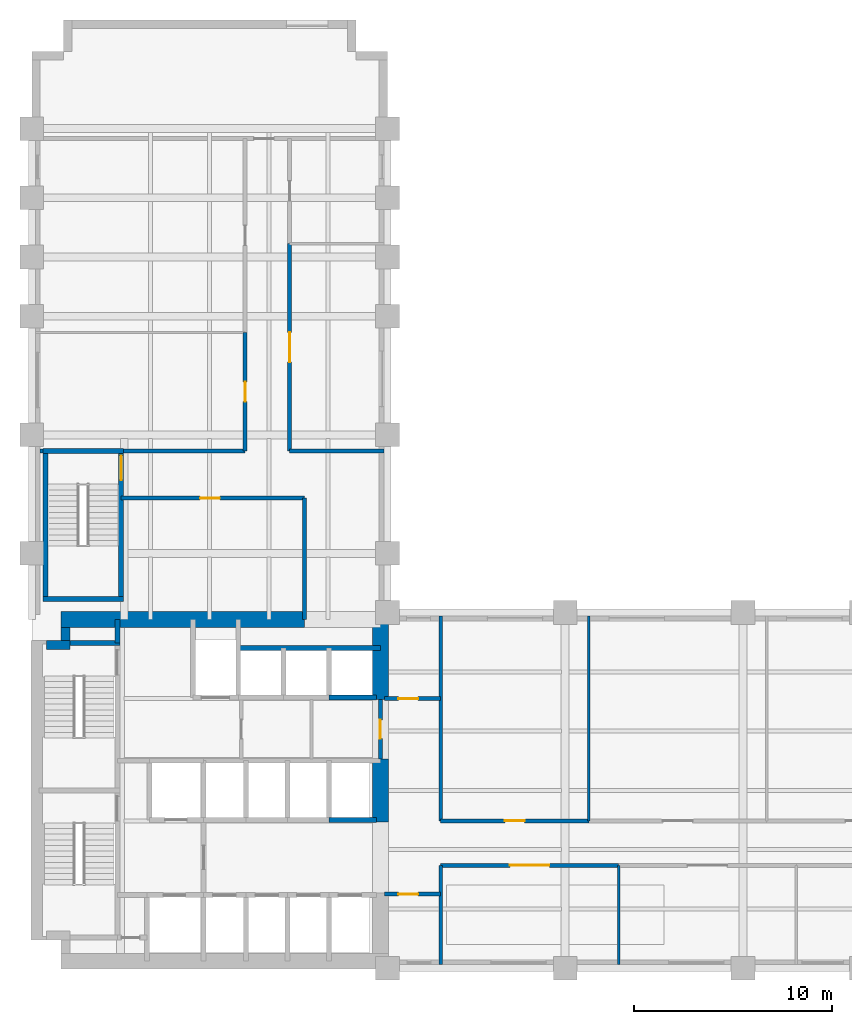
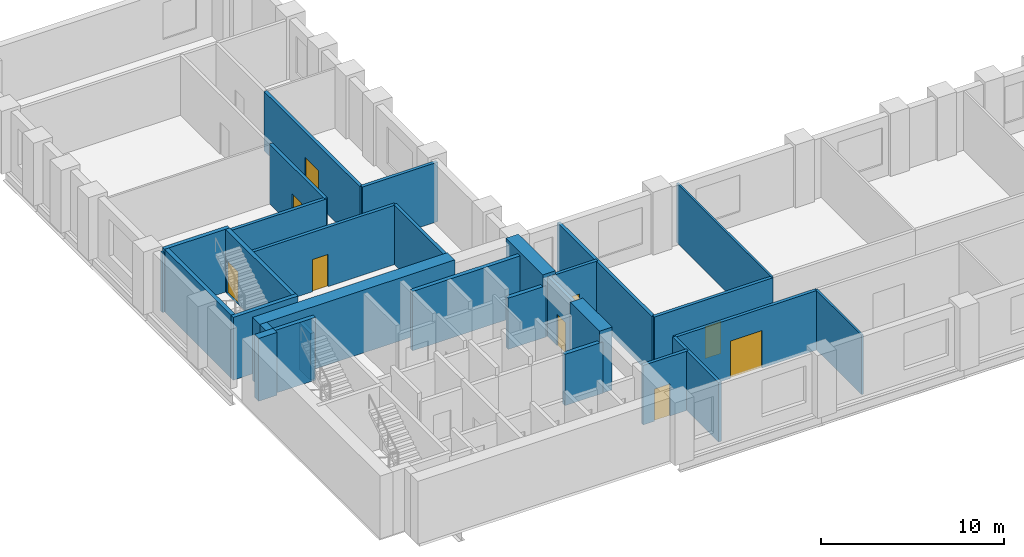
# One storey, part 4 of 7: 30 walls, 9 doors, 9 openings.
"""IFC4 building model written with IfcOpenShell, lengths in metres."""

from ifc_helpers import new_model, si_unit, direction, frame, frame_2d, origin, place, context, subcontext, project, spatial, rectangle, extrude, material, layer, layer_set, type_object, element, fill, save


model = new_model("IFC4")

# Units and contexts
model_context = context("Model", 3, precision=1e-05, world=origin(), true_north=direction((0.0, 1.0)))
body_context = subcontext(model_context, "Body", "Model", "MODEL_VIEW")
ifc_project = project(units=[si_unit("LENGTHUNIT", "METRE"), si_unit("AREAUNIT", "SQUARE_METRE"), si_unit("VOLUMEUNIT", "CUBIC_METRE"), si_unit("PLANEANGLEUNIT", "RADIAN"), si_unit("MASSUNIT", "GRAM", prefix="KILO")], contexts=[model_context])

# Site, building, storey
site_placement = place(None, origin())
site = spatial("IfcSite", under=ifc_project, at=site_placement, CompositionType="ELEMENT")
building_placement = place(site_placement, origin())
building = spatial("IfcBuilding", under=site, at=building_placement, Name="Mawjdan Bourse Tower", CompositionType="ELEMENT")
storey_placement = place(building_placement, frame((0.0, 0.0, 30.0)))
storey = spatial("IfcBuildingStorey", under=building, at=storey_placement, Name="L06", CompositionType="ELEMENT", Elevation=30.0)

# Wall, opening, door
ifc_material_1 = material(Name="Gypsum Fireboard Assembly")
ifc_layer_1 = layer(ifc_material_1, 0.199951171875)
ifc_layer_set_1 = layer_set([ifc_layer_1], Name="Gypsum Fireboard Assembly")
wall_type_1 = type_object("IfcWallType", Name="WL-CMP-200", PredefinedType="PARTITIONING", material=ifc_layer_set_1)
wall_1_placement = place(storey_placement, frame((23.64990234375, 13.60009765625, 0.0), z_axis=(0.0, 0.0, 1.0), x_axis=(0.0, 1.0, 0.0)))
wall_1 = element("IfcWall", 1, at=wall_1_placement, inside=storey, type_object=wall_type_1, Name="L06 Core Restroom East Enclosing Wall", PredefinedType="PARTITIONING", context=body_context, shape_type="SweptSolid", body=[
    extrude(rectangle(XDim=3.0, YDim=0.199951171875, at=frame_2d((1.5, 0.0))), origin(), (0.0, 0.0, 1.0), 3.969970703125),
])
opening_1_placement = place(wall_1_placement, frame((1.02001953125, 0.0, 0.0)))
opening_1 = element("IfcOpeningElement", 2, at=opening_1_placement, cuts=wall_1, Name="Opening D-L06-15", PredefinedType="OPENING", context=body_context, shape_type="SweptSolid", body=[
    extrude(rectangle(XDim=0.949951171875, YDim=2.10009765625, at=frame_2d((0.47509765625, 1.050048828125))), frame((0.0, 0.10986328125, 0.0), z_axis=(0.0, -1.0, 0.0), x_axis=(1.0, 0.0, 0.0)), (0.0, 0.0, 1.0), 0.219970703125),
])
ifc_material_2 = material(Name="Moisture-Resistant Laminate Timber", Category="wood")
door_type_1 = type_object("IfcDoorType", Name="DR-WET-0950", OperationType="NOTDEFINED", PredefinedType="DOOR", material=ifc_material_2)
door_1_placement = place(opening_1_placement, origin())
door_1 = element("IfcDoor", 3, at=door_1_placement, inside=storey, type_object=door_type_1, Name="L06 Accessible WC East Entry Door D-L06-15", OperationType="SINGLE_SWING_RIGHT", OverallHeight=2.10009765625, OverallWidth=0.949951171875, PredefinedType="DOOR", context=body_context, shape_type="SweptSolid", body=[
    extrude(rectangle(XDim=0.949951171875, YDim=2.10009765625, at=frame_2d((0.47509765625, 1.050048828125))), frame((0.0, 0.02490234375, 0.0), z_axis=(0.0, -1.0, 0.0), x_axis=(1.0, 0.0, 0.0)), (0.0, 0.0, 1.0), 0.050048828125),
])
fill(opening_1, door_1)

wall_2_placement = place(storey_placement, frame((23.85009765625, 6.75, 0.0), z_axis=(0.0, 0.0, 1.0), x_axis=(1.0, 0.0, 0.0)))
wall_2 = element("IfcWall", 4, at=wall_2_placement, inside=storey, type_object=wall_type_1, Name="L06 West Pocket North Wall", PredefinedType="PARTITIONING", context=body_context, shape_type="SweptSolid", body=[
    extrude(rectangle(XDim=2.849853515625, YDim=0.199951171875, at=frame_2d((1.4248046875, 0.0))), origin(), (0.0, 0.0, 1.0), 3.969970703125),
])
opening_2_placement = place(wall_2_placement, frame((0.699951171875, 0.0, 0.0)))
opening_2 = element("IfcOpeningElement", 5, at=opening_2_placement, cuts=wall_2, Name="Opening D-L06-17", PredefinedType="OPENING", context=body_context, shape_type="SweptSolid", body=[
    extrude(rectangle(XDim=1.0, YDim=2.14990234375, at=frame_2d((0.5, 1.074951171875))), frame((0.0, 0.10986328125, 0.0), z_axis=(0.0, -1.0, 0.0), x_axis=(1.0, 0.0, 0.0)), (0.0, 0.0, 1.0), 0.219970703125),
])
ifc_material_3 = material(Name="Hardwood Acoustic Leaf", Category="wood")
door_type_2 = type_object("IfcDoorType", Name="DR-OFC-1000", OperationType="NOTDEFINED", PredefinedType="DOOR", material=ifc_material_3)
door_2_placement = place(opening_2_placement, origin())
door_2 = element("IfcDoor", 6, at=door_2_placement, inside=storey, type_object=door_type_2, Name="L06 West Pocket Office Door D-L06-17", OperationType="SINGLE_SWING_RIGHT", OverallHeight=2.14990234375, OverallWidth=1.0, PredefinedType="DOOR", context=body_context, shape_type="SweptSolid", body=[
    extrude(rectangle(XDim=1.0, YDim=2.14990234375, at=frame_2d((0.5, 1.074951171875))), frame((0.0, 0.02490234375, 0.0), z_axis=(0.0, -1.0, 0.0), x_axis=(1.0, 0.0, 0.0)), (0.0, 0.0, 1.0), 0.050048828125),
])
fill(opening_2, door_2)

wall_3_placement = place(storey_placement, frame((23.85009765625, 16.64990234375, 0.0), z_axis=(0.0, 0.0, 1.0), x_axis=(1.0, 0.0, 0.0)))
wall_3 = element("IfcWall", 7, at=wall_3_placement, inside=storey, type_object=wall_type_1, Name="L06 West North Pocket Wall", PredefinedType="PARTITIONING", context=body_context, shape_type="SweptSolid", body=[
    extrude(rectangle(XDim=2.849853515625, YDim=0.199951171875, at=frame_2d((1.4248046875, 0.0))), origin(), (0.0, 0.0, 1.0), 3.969970703125),
])
opening_3_placement = place(wall_3_placement, frame((0.699951171875, 0.0, 0.0)))
opening_3 = element("IfcOpeningElement", 8, at=opening_3_placement, cuts=wall_3, Name="Opening D-L06-18", PredefinedType="OPENING", context=body_context, shape_type="SweptSolid", body=[
    extrude(rectangle(XDim=1.0, YDim=2.14990234375, at=frame_2d((0.5, 1.074951171875))), frame((0.0, 0.10986328125, 0.0), z_axis=(0.0, -1.0, 0.0), x_axis=(1.0, 0.0, 0.0)), (0.0, 0.0, 1.0), 0.219970703125),
])
door_3_placement = place(opening_3_placement, origin())
door_3 = element("IfcDoor", 9, at=door_3_placement, inside=storey, type_object=door_type_2, Name="L06 West North Pocket Door D-L06-18", OperationType="SINGLE_SWING_LEFT", OverallHeight=2.14990234375, OverallWidth=1.0, PredefinedType="DOOR", context=body_context, shape_type="SweptSolid", body=[
    extrude(rectangle(XDim=1.0, YDim=2.14990234375, at=frame_2d((0.5, 1.074951171875))), frame((0.0, 0.02490234375, 0.0), z_axis=(0.0, -1.0, 0.0), x_axis=(1.0, 0.0, 0.0)), (0.0, 0.0, 1.0), 0.050048828125),
])
fill(opening_3, door_3)

# Walls
wall_4_placement = place(storey_placement, frame((26.699951171875, 3.179931640625, 0.0), z_axis=(0.0, 0.0, 1.0), x_axis=(0.0, 1.0, 0.0)))
element("IfcWall", 10, at=wall_4_placement, inside=storey, type_object=wall_type_1, Name="L06 Vestibule South East Wall", PredefinedType="PARTITIONING", context=body_context, shape_type="SweptSolid", body=[
    extrude(rectangle(XDim=5.02001953125, YDim=0.199951171875, at=frame_2d((2.510009765625, 0.0))), origin(), (0.0, 0.0, 1.0), 3.969970703125),
])
wall_5_placement = place(storey_placement, frame((26.699951171875, 10.449951171875, 0.0), z_axis=(0.0, 0.0, 1.0), x_axis=(0.0, 1.0, 0.0)))
element("IfcWall", 11, at=wall_5_placement, inside=storey, type_object=wall_type_1, Name="L06 Vestibule North East Wall", PredefinedType="PARTITIONING", context=body_context, shape_type="SweptSolid", body=[
    extrude(rectangle(XDim=10.3701171875, YDim=0.199951171875, at=frame_2d((5.18505859375, 0.0))), origin(), (0.0, 0.0, 1.0), 3.969970703125),
])

# Wall, opening, door
wall_6_placement = place(storey_placement, frame((26.699951171875, 8.199951171875, 0.0), z_axis=(0.0, 0.0, 1.0), x_axis=(1.0, 0.0, 0.0)))
wall_6 = element("IfcWall", 12, at=wall_6_placement, inside=storey, type_object=wall_type_1, Name="L06 Trading Floor Corridor Wall", PredefinedType="PARTITIONING", context=body_context, shape_type="SweptSolid", body=[
    extrude(rectangle(XDim=9.0, YDim=0.199951171875, at=frame_2d((4.5, 0.0))), origin(), (0.0, 0.0, 1.0), 3.969970703125),
])
opening_4_placement = place(wall_6_placement, frame((3.5, 0.0, 0.0)))
opening_4 = element("IfcOpeningElement", 13, at=opening_4_placement, cuts=wall_6, Name="Opening D-L06-19", PredefinedType="OPENING", context=body_context, shape_type="SweptSolid", body=[
    extrude(rectangle(XDim=2.0, YDim=2.5, at=frame_2d((1.0, 1.25))), frame((0.0, 0.10986328125, 0.0), z_axis=(0.0, -1.0, 0.0), x_axis=(1.0, 0.0, 0.0)), (0.0, 0.0, 1.0), 0.219970703125),
])
ifc_material_4 = material(Name="Acoustic Veneered Timber", Category="wood")
door_type_3 = type_object("IfcDoorType", Name="DR-ASM-2000", OperationType="DOUBLE_DOOR_SINGLE_SWING", PredefinedType="DOOR", material=ifc_material_4)
door_4_placement = place(opening_4_placement, origin())
door_4 = element("IfcDoor", 14, at=door_4_placement, inside=storey, type_object=door_type_3, Name="L06 Trading Floor Door D-L06-19", OperationType="DOUBLE_DOOR_SINGLE_SWING", OverallHeight=2.5, OverallWidth=2.0, PredefinedType="DOOR", context=body_context, shape_type="SweptSolid", body=[
    extrude(rectangle(XDim=2.0, YDim=2.5, at=frame_2d((1.0, 1.25))), frame((0.0, 0.02490234375, 0.0), z_axis=(0.0, -1.0, 0.0), x_axis=(1.0, 0.0, 0.0)), (0.0, 0.0, 1.0), 0.050048828125),
])
fill(opening_4, door_4)

wall_7_placement = place(storey_placement, frame((26.699951171875, 10.449951171875, 0.0), z_axis=(0.0, 0.0, 1.0), x_axis=(1.0, 0.0, 0.0)))
wall_7 = element("IfcWall", 15, at=wall_7_placement, inside=storey, type_object=wall_type_1, Name="L06 Executive Office Corridor Wall", PredefinedType="PARTITIONING", context=body_context, shape_type="SweptSolid", body=[
    extrude(rectangle(XDim=7.5, YDim=0.199951171875, at=frame_2d((3.75, 0.0))), origin(), (0.0, 0.0, 1.0), 3.969970703125),
])
opening_5_placement = place(wall_7_placement, frame((3.25, 0.0, 0.0)))
opening_5 = element("IfcOpeningElement", 16, at=opening_5_placement, cuts=wall_7, Name="Opening D-L06-22", PredefinedType="OPENING", context=body_context, shape_type="SweptSolid", body=[
    extrude(rectangle(XDim=1.0, YDim=2.14990234375, at=frame_2d((0.5, 1.074951171875))), frame((0.0, 0.10986328125, 0.0), z_axis=(0.0, -1.0, 0.0), x_axis=(1.0, 0.0, 0.0)), (0.0, 0.0, 1.0), 0.219970703125),
])
door_5_placement = place(opening_5_placement, origin())
door_5 = element("IfcDoor", 17, at=door_5_placement, inside=storey, type_object=door_type_2, Name="L06 Executive Office Door D-L06-22", OperationType="SINGLE_SWING_LEFT", OverallHeight=2.14990234375, OverallWidth=1.0, PredefinedType="DOOR", context=body_context, shape_type="SweptSolid", body=[
    extrude(rectangle(XDim=1.0, YDim=2.14990234375, at=frame_2d((0.5, 1.074951171875))), frame((0.0, 0.02490234375, 0.0), z_axis=(0.0, -1.0, 0.0), x_axis=(1.0, 0.0, 0.0)), (0.0, 0.0, 1.0), 0.050048828125),
])
fill(opening_5, door_5)

wall_8_placement = place(storey_placement, frame((10.52001953125, 26.800048828125, 0.0), z_axis=(0.0, 0.0, 1.0), x_axis=(1.0, 0.0, 0.0)))
wall_8 = element("IfcWall", 18, at=wall_8_placement, inside=storey, type_object=wall_type_1, Name="L06 North Throat North Wall", PredefinedType="PARTITIONING", context=body_context, shape_type="SweptSolid", body=[
    extrude(rectangle(XDim=9.280029296875, YDim=0.199951171875, at=frame_2d((4.64013671875, 0.0))), origin(), (0.0, 0.0, 1.0), 3.969970703125),
])
opening_6_placement = place(wall_8_placement, frame((4.0, 0.0, 0.0)))
opening_6 = element("IfcOpeningElement", 19, at=opening_6_placement, cuts=wall_8, Name="Opening D-L06-27", PredefinedType="OPENING", context=body_context, shape_type="SweptSolid", body=[
    extrude(rectangle(XDim=1.0, YDim=2.14990234375, at=frame_2d((0.5, 1.074951171875))), frame((0.0, 0.10986328125, 0.0), z_axis=(0.0, -1.0, 0.0), x_axis=(1.0, 0.0, 0.0)), (0.0, 0.0, 1.0), 0.219970703125),
])
door_6_placement = place(opening_6_placement, origin())
door_6 = element("IfcDoor", 20, at=door_6_placement, inside=storey, type_object=door_type_2, Name="L06 North Throat Suite Door D-L06-27", OperationType="SINGLE_SWING_LEFT", OverallHeight=2.14990234375, OverallWidth=1.0, PredefinedType="DOOR", context=body_context, shape_type="SweptSolid", body=[
    extrude(rectangle(XDim=1.0, YDim=2.14990234375, at=frame_2d((0.5, 1.074951171875))), frame((0.0, 0.02490234375, 0.0), z_axis=(0.0, -1.0, 0.0), x_axis=(1.0, 0.0, 0.0)), (0.0, 0.0, 1.0), 0.050048828125),
])
fill(opening_6, door_6)

# Walls
wall_9_placement = place(storey_placement, frame((19.800048828125, 20.64990234375, 0.0), z_axis=(0.0, 0.0, 1.0), x_axis=(0.0, 1.0, 0.0)))
element("IfcWall", 21, at=wall_9_placement, inside=storey, type_object=wall_type_1, Name="L06 North Throat East Wall", PredefinedType="PARTITIONING", context=body_context, shape_type="SweptSolid", body=[
    extrude(rectangle(XDim=6.150146484375, YDim=0.199951171875, at=frame_2d((3.0751953125, 0.0))), origin(), (0.0, 0.0, 1.0), 3.969970703125),
])
wall_10_placement = place(storey_placement, frame((6.419921875, 29.179931640625, 0.0), z_axis=(0.0, 0.0, 1.0), x_axis=(1.0, 0.0, 0.0)))
element("IfcWall", 22, at=wall_10_placement, inside=storey, type_object=wall_type_1, Name="L06 North West Band ST3 West Return", PredefinedType="PARTITIONING", context=body_context, shape_type="SweptSolid", body=[
    extrude(rectangle(XDim=0.135009765625, YDim=0.199951171875, at=frame_2d((0.0673828125, 0.0))), origin(), (0.0, 0.0, 1.0), 3.969970703125),
])
wall_11_placement = place(storey_placement, frame((10.6298828125, 29.179931640625, 0.0), z_axis=(0.0, 0.0, 1.0), x_axis=(1.0, 0.0, 0.0)))
element("IfcWall", 23, at=wall_11_placement, inside=storey, type_object=wall_type_1, Name="L06 North West Band South Wall", PredefinedType="PARTITIONING", context=body_context, shape_type="SweptSolid", body=[
    extrude(rectangle(XDim=6.170166015625, YDim=0.199951171875, at=frame_2d((3.0849609375, 0.0))), origin(), (0.0, 0.0, 1.0), 3.969970703125),
])
wall_12_placement = place(storey_placement, frame((19.050048828125, 29.179931640625, 0.0), z_axis=(0.0, 0.0, 1.0), x_axis=(1.0, 0.0, 0.0)))
element("IfcWall", 24, at=wall_12_placement, inside=storey, type_object=wall_type_1, Name="L06 North East Band South Wall", PredefinedType="PARTITIONING", context=body_context, shape_type="SweptSolid", body=[
    extrude(rectangle(XDim=4.77001953125, YDim=0.199951171875, at=frame_2d((2.385009765625, 0.0))), origin(), (0.0, 0.0, 1.0), 3.969970703125),
])

# Wall, opening, door
wall_13_placement = place(storey_placement, frame((16.800048828125, 29.179931640625, 0.0), z_axis=(0.0, 0.0, 1.0), x_axis=(0.0, 1.0, 0.0)))
wall_13 = element("IfcWall", 25, at=wall_13_placement, inside=storey, type_object=wall_type_1, Name="L06 Derivatives Dealing Hall Corridor Wall", PredefinedType="PARTITIONING", context=body_context, shape_type="SweptSolid", body=[
    extrude(rectangle(XDim=6.0, YDim=0.199951171875, at=frame_2d((3.0, 0.0))), origin(), (0.0, 0.0, 1.0), 3.969970703125),
])
opening_7_placement = place(wall_13_placement, frame((2.5, 0.0, 0.0)))
opening_7 = element("IfcOpeningElement", 26, at=opening_7_placement, cuts=wall_13, Name="Opening D-L06-28", PredefinedType="OPENING", context=body_context, shape_type="SweptSolid", body=[
    extrude(rectangle(XDim=1.0, YDim=2.14990234375, at=frame_2d((0.5, 1.074951171875))), frame((0.0, 0.10986328125, 0.0), z_axis=(0.0, -1.0, 0.0), x_axis=(1.0, 0.0, 0.0)), (0.0, 0.0, 1.0), 0.219970703125),
])
door_7_placement = place(opening_7_placement, origin())
door_7 = element("IfcDoor", 27, at=door_7_placement, inside=storey, type_object=door_type_2, Name="L06 Derivatives Dealing Hall Door D-L06-28", OperationType="SINGLE_SWING_RIGHT", OverallHeight=2.14990234375, OverallWidth=1.0, PredefinedType="DOOR", context=body_context, shape_type="SweptSolid", body=[
    extrude(rectangle(XDim=1.0, YDim=2.14990234375, at=frame_2d((0.5, 1.074951171875))), frame((0.0, 0.02490234375, 0.0), z_axis=(0.0, -1.0, 0.0), x_axis=(1.0, 0.0, 0.0)), (0.0, 0.0, 1.0), 0.050048828125),
])
fill(opening_7, door_7)

wall_14_placement = place(storey_placement, frame((19.050048828125, 29.179931640625, 0.0), z_axis=(0.0, 0.0, 1.0), x_axis=(0.0, 1.0, 0.0)))
wall_14 = element("IfcWall", 28, at=wall_14_placement, inside=storey, type_object=wall_type_1, Name="L06 Conference Room Corridor Wall", PredefinedType="PARTITIONING", context=body_context, shape_type="SweptSolid", body=[
    extrude(rectangle(XDim=10.5, YDim=0.199951171875, at=frame_2d((5.25, 0.0))), origin(), (0.0, 0.0, 1.0), 3.969970703125),
])
opening_8_placement = place(wall_14_placement, frame((4.5, 0.0, 0.0)))
opening_8 = element("IfcOpeningElement", 29, at=opening_8_placement, cuts=wall_14, Name="Opening D-L06-30", PredefinedType="OPENING", context=body_context, shape_type="SweptSolid", body=[
    extrude(rectangle(XDim=1.5, YDim=2.300048828125, at=frame_2d((0.75, 1.14990234375))), frame((0.0, 0.10986328125, 0.0), z_axis=(0.0, -1.0, 0.0), x_axis=(1.0, 0.0, 0.0)), (0.0, 0.0, 1.0), 0.219970703125),
])
ifc_material_5 = material(Name="Acoustic Glazed Timber", Category="wood")
door_type_4 = type_object("IfcDoorType", Name="DR-CNF-1500", OperationType="DOUBLE_DOOR_SINGLE_SWING", PredefinedType="DOOR", material=ifc_material_5)
door_8_placement = place(opening_8_placement, origin())
door_8 = element("IfcDoor", 30, at=door_8_placement, inside=storey, type_object=door_type_4, Name="L06 Conference Room Door D-L06-30", OperationType="DOUBLE_DOOR_SINGLE_SWING", OverallHeight=2.300048828125, OverallWidth=1.5, PredefinedType="DOOR", context=body_context, shape_type="SweptSolid", body=[
    extrude(rectangle(XDim=1.5, YDim=2.300048828125, at=frame_2d((0.75, 1.14990234375))), frame((0.0, 0.02490234375, 0.0), z_axis=(0.0, -1.0, 0.0), x_axis=(1.0, 0.0, 0.0)), (0.0, 0.0, 1.0), 0.050048828125),
])
fill(opening_8, door_8)

# Walls
ifc_material_6 = material(Name="Concrete C60/75", Category="concrete")
ifc_layer_2 = layer(ifc_material_6, 0.449951171875)
ifc_layer_set_2 = layer_set([ifc_layer_2], Name="Concrete C60/75")
wall_type_2 = type_object("IfcWallType", Name="WL-CORE-450", PredefinedType="SHEAR", material=ifc_layer_set_2)
wall_15_placement = place(storey_placement, frame((6.75, 19.35009765625, 0.0), z_axis=(0.0, 0.0, 1.0), x_axis=(1.0, 0.0, 0.0)))
element("IfcWall", 31, at=wall_15_placement, inside=storey, type_object=wall_type_2, Name="L06 Rear Core Shear Wall NW-X", PredefinedType="SHEAR", context=body_context, shape_type="SweptSolid", body=[
    extrude(rectangle(XDim=1.175048828125, YDim=0.449951171875, at=frame_2d((0.58740234375, 0.0))), origin(), (0.0, 0.0, 1.0), 4.199951171875),
])
wall_16_placement = place(storey_placement, frame((7.699951171875, 19.574951171875, 0.0), z_axis=(0.0, 0.0, 1.0), x_axis=(0.0, 1.0, 0.0)))
element("IfcWall", 32, at=wall_16_placement, inside=storey, type_object=wall_type_2, Name="L06 Rear Core Shear Wall NW-Y", PredefinedType="SHEAR", context=body_context, shape_type="SweptSolid", body=[
    extrude(rectangle(XDim=0.675048828125, YDim=0.449951171875, at=frame_2d((0.33740234375, 0.0))), origin(), (0.0, 0.0, 1.0), 4.199951171875),
])
ifc_material_7 = material(Name="Concrete C80/95", Category="concrete")
ifc_layer_3 = layer(ifc_material_7, 0.800048828125)
ifc_layer_set_3 = layer_set([ifc_layer_3], Name="Concrete C80/95")
wall_type_3 = type_object("IfcWallType", Name="WL-CORE-800", PredefinedType="SHEAR", material=ifc_layer_set_3)
wall_17_placement = place(storey_placement, frame((7.47509765625, 20.64990234375, 0.0), z_axis=(0.0, 0.0, 1.0), x_axis=(1.0, 0.0, 0.0)))
element("IfcWall", 33, at=wall_17_placement, inside=storey, type_object=wall_type_3, Name="L06 Rear Core Shear Wall N", PredefinedType="SHEAR", context=body_context, shape_type="SweptSolid", body=[
    extrude(rectangle(XDim=12.324951171875, YDim=0.800048828125, at=frame_2d((6.16259765625, 0.0))), origin(), (0.0, 0.0, 1.0), 4.199951171875),
])
wall_18_placement = place(storey_placement, frame((23.64990234375, 10.39990234375, 0.0), z_axis=(0.0, 0.0, 1.0), x_axis=(0.0, 1.0, 0.0)))
element("IfcWall", 34, at=wall_18_placement, inside=storey, type_object=wall_type_3, Name="L06 Rear Core Shear Wall E2", PredefinedType="SHEAR", context=body_context, shape_type="SweptSolid", body=[
    extrude(rectangle(XDim=3.2001953125, YDim=0.800048828125, at=frame_2d((1.60009765625, 0.0))), origin(), (0.0, 0.0, 1.0), 4.199951171875),
])
wall_19_placement = place(storey_placement, frame((23.64990234375, 16.60009765625, 0.0), z_axis=(0.0, 0.0, 1.0), x_axis=(0.0, 1.0, 0.0)))
element("IfcWall", 35, at=wall_19_placement, inside=storey, type_object=wall_type_3, Name="L06 Rear Core Shear Wall E3", PredefinedType="SHEAR", context=body_context, shape_type="SweptSolid", body=[
    extrude(rectangle(XDim=4.0498046875, YDim=0.800048828125, at=frame_2d((2.02490234375, 0.0))), origin(), (0.0, 0.0, 1.0), 4.199951171875),
])
ifc_material_8 = material(Name="Gypsum Partition")
ifc_layer_4 = layer(ifc_material_8, 0.125)
ifc_layer_set_4 = layer_set([ifc_layer_4], Name="Gypsum Partition")
wall_type_4 = type_object("IfcWallType", Name="WL-PRT-125", PredefinedType="PARTITIONING", material=ifc_layer_set_4)
wall_20_placement = place(storey_placement, frame((35.699951171875, 3.179931640625, 0.0), z_axis=(0.0, 0.0, 1.0), x_axis=(0.0, 1.0, 0.0)))
element("IfcWall", 36, at=wall_20_placement, inside=storey, type_object=wall_type_4, Name="L06 Derivatives Dealing Hall Partition", PredefinedType="PARTITIONING", context=body_context, shape_type="SweptSolid", body=[
    extrude(rectangle(XDim=5.02001953125, YDim=0.125, at=frame_2d((2.510009765625, 0.0))), origin(), (0.0, 0.0, 1.0), 3.969970703125),
])
wall_21_placement = place(storey_placement, frame((34.199951171875, 10.449951171875, 0.0), z_axis=(0.0, 0.0, 1.0), x_axis=(0.0, 1.0, 0.0)))
element("IfcWall", 37, at=wall_21_placement, inside=storey, type_object=wall_type_4, Name="L06 Conference Room Partition", PredefinedType="PARTITIONING", context=body_context, shape_type="SweptSolid", body=[
    extrude(rectangle(XDim=10.3701171875, YDim=0.125, at=frame_2d((5.18505859375, 0.0))), origin(), (0.0, 0.0, 1.0), 3.969970703125),
])
ifc_material_9 = material(Name="Concrete C50/60", Category="concrete")
ifc_layer_5 = layer(ifc_material_9, 0.25)
ifc_layer_set_5 = layer_set([ifc_layer_5], Name="Concrete C50/60")
wall_type_5 = type_object("IfcWallType", Name="WL-SHFT-250", PredefinedType="PARTITIONING", material=ifc_layer_set_5)
wall_22_placement = place(storey_placement, frame((10.330078125, 19.449951171875, 0.0), z_axis=(0.0, 0.0, 1.0), x_axis=(0.0, 1.0, 0.0)))
element("IfcWall", 38, at=wall_22_placement, inside=storey, type_object=wall_type_5, Name="L06 NW Riser East Wall", PredefinedType="PARTITIONING", context=body_context, shape_type="SweptSolid", body=[
    extrude(rectangle(XDim=1.199951171875, YDim=0.25, at=frame_2d((0.60009765625, 0.0))), origin(), (0.0, 0.0, 1.0), 3.114013671875),
])
wall_23_placement = place(storey_placement, frame((21.050048828125, 16.699951171875, 0.0), z_axis=(0.0, 0.0, 1.0), x_axis=(1.0, 0.0, 0.0)))
element("IfcWall", 39, at=wall_23_placement, inside=storey, type_object=wall_type_5, Name="L06 PH-03 Front Wall", PredefinedType="PARTITIONING", context=body_context, shape_type="SweptSolid", body=[
    extrude(rectangle(XDim=2.39990234375, YDim=0.25, at=frame_2d((1.199951171875, 0.0))), origin(), (0.0, 0.0, 1.0), 3.426025390625),
])
wall_24_placement = place(storey_placement, frame((16.449951171875, 19.199951171875, 0.0), z_axis=(0.0, 0.0, 1.0), x_axis=(1.0, 0.0, 0.0)))
element("IfcWall", 40, at=wall_24_placement, inside=storey, type_object=wall_type_5, Name="L06 PH Bank North Shaft Back Wall", PredefinedType="PARTITIONING", context=body_context, shape_type="SweptSolid", body=[
    extrude(rectangle(XDim=7.199951171875, YDim=0.25, at=frame_2d((3.60009765625, 0.0))), origin(), (0.0, 0.0, 1.0), 3.969970703125),
])
wall_25_placement = place(storey_placement, frame((21.050048828125, 10.5, 0.0), z_axis=(0.0, 0.0, 1.0), x_axis=(1.0, 0.0, 0.0)))
element("IfcWall", 41, at=wall_25_placement, inside=storey, type_object=wall_type_5, Name="L06 PM-04 Front Wall", PredefinedType="PARTITIONING", context=body_context, shape_type="SweptSolid", body=[
    extrude(rectangle(XDim=2.39990234375, YDim=0.25, at=frame_2d((1.199951171875, 0.0))), origin(), (0.0, 0.0, 1.0), 3.426025390625),
])
ifc_layer_6 = layer(ifc_material_9, 0.25)
ifc_layer_set_6 = layer_set([ifc_layer_6], Name="Concrete C50/60")
wall_type_6 = type_object("IfcWallType", Name="WL-STRW-250", PredefinedType="SHEAR", material=ifc_layer_set_6)
wall_26_placement = place(storey_placement, frame((7.699951171875, 19.449951171875, 0.0), z_axis=(0.0, 0.0, 1.0), x_axis=(1.0, 0.0, 0.0)))
element("IfcWall", 42, at=wall_26_placement, inside=storey, type_object=wall_type_6, Name="L06 Stairwell ST2 North Shaft Wall", PredefinedType="SHEAR", context=body_context, shape_type="SweptSolid", body=[
    extrude(rectangle(XDim=2.755126953125, YDim=0.25, at=frame_2d((1.37744140625, 0.0))), origin(), (0.0, 0.0, 1.0), 4.199951171875),
])
for number, where, z_axis, x_axis, name in (
    (43, (6.554931640625, 21.679931640625, 0.0), (0.0, 0.0, 1.0), (1.0, 0.0, 0.0), "L06 ST3 South Shaft Wall"),
    (44, (6.554931640625, 29.179931640625, 0.0), (0.0, 0.0, 1.0), (1.0, 0.0, 0.0), "L06 ST3 North Shaft Wall"),
):
    element("IfcWall", number, at=place(storey_placement, frame(where, z_axis=z_axis, x_axis=x_axis)), inside=storey, type_object=wall_type_6, Name=name, PredefinedType="SHEAR", context=body_context, shape_type="SweptSolid", body=[
        extrude(rectangle(XDim=4.090087890625, YDim=0.25, at=frame_2d((2.044921875, 0.0))), origin(), (0.0, 0.0, 1.0), 4.199951171875),
    ])
wall_27_placement = place(storey_placement, frame((6.679931640625, 21.679931640625, 0.0), z_axis=(0.0, 0.0, 1.0), x_axis=(0.0, 1.0, 0.0)))
element("IfcWall", 45, at=wall_27_placement, inside=storey, type_object=wall_type_6, Name="L06 ST3 West Shaft Wall", PredefinedType="SHEAR", context=body_context, shape_type="SweptSolid", body=[
    extrude(rectangle(XDim=7.5, YDim=0.25, at=frame_2d((3.75, 0.0))), origin(), (0.0, 0.0, 1.0), 4.199951171875),
])

# Wall, opening, door
wall_28_placement = place(storey_placement, frame((10.52001953125, 21.679931640625, 0.0), z_axis=(0.0, 0.0, 1.0), x_axis=(0.0, 1.0, 0.0)))
wall_28 = element("IfcWall", 46, at=wall_28_placement, inside=storey, type_object=wall_type_6, Name="L06 ST3 East Shaft Wall", PredefinedType="SHEAR", context=body_context, shape_type="SweptSolid", body=[
    extrude(rectangle(XDim=7.5, YDim=0.25, at=frame_2d((3.75, 0.0))), origin(), (0.0, 0.0, 1.0), 4.199951171875),
])
opening_9_placement = place(wall_28_placement, frame((6.02001953125, 0.0, 0.0)))
opening_9 = element("IfcOpeningElement", 47, at=opening_9_placement, cuts=wall_28, Name="Opening SD-L06-16", PredefinedType="OPENING", context=body_context, shape_type="SweptSolid", body=[
    extrude(rectangle(XDim=1.25, YDim=2.199951171875, at=frame_2d((0.625, 1.10009765625))), frame((0.0, 0.135009765625, 0.0), z_axis=(0.0, -1.0, 0.0), x_axis=(1.0, 0.0, 0.0)), (0.0, 0.0, 1.0), 0.27001953125),
])
ifc_material_10 = material(Name="Fire-Rated Steel Leaf", Category="steel")
door_type_5 = type_object("IfcDoorType", Name="FD-ST-1250", OperationType="NOTDEFINED", PredefinedType="DOOR", material=ifc_material_10)
door_9_placement = place(opening_9_placement, origin())
door_9 = element("IfcDoor", 48, at=door_9_placement, inside=storey, type_object=door_type_5, Name="L06 Stair ST3 Fire Door SD-L06-16", OperationType="SINGLE_SWING_LEFT", OverallHeight=2.199951171875, OverallWidth=1.25, PredefinedType="DOOR", context=body_context, shape_type="SweptSolid", body=[
    extrude(rectangle(XDim=1.25, YDim=2.199951171875, at=frame_2d((0.625, 1.10009765625))), frame((0.0, 0.02490234375, 0.0), z_axis=(0.0, -1.0, 0.0), x_axis=(1.0, 0.0, 0.0)), (0.0, 0.0, 1.0), 0.050048828125),
])
fill(opening_9, door_9)

save(model, "model.ifc")
